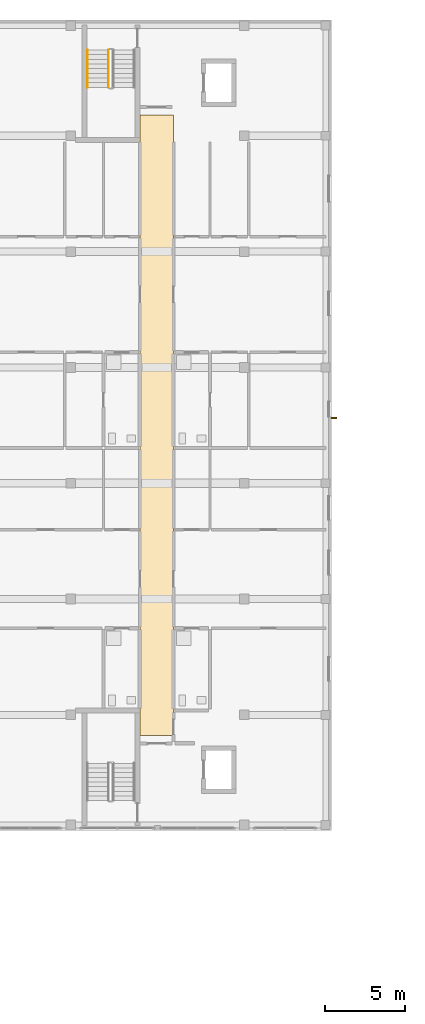
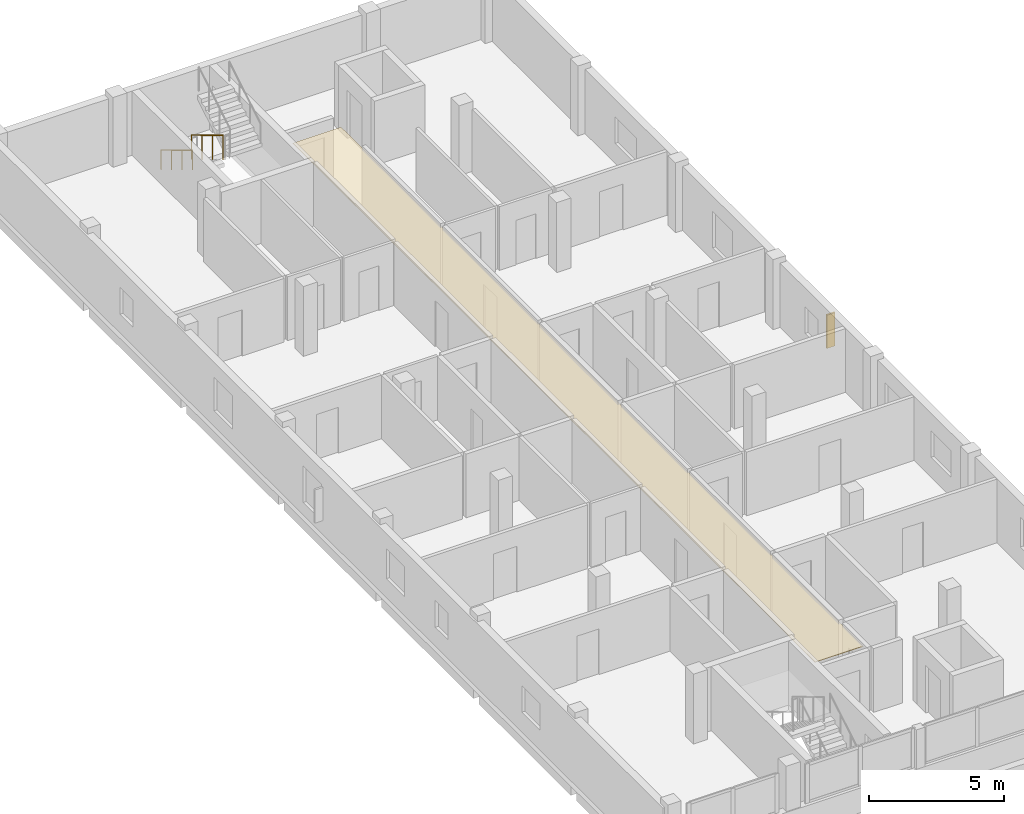
# One storey, part 26 of 34: 2 railings, 1 covering, 1 shading device.
"""IFC4 building model written with IfcOpenShell, lengths in metres."""

from ifc_helpers import new_model, si_unit, derived_unit, direction, frame, origin, origin_2d, place, context, subcontext, project, spatial, polyline, rectangle, circle, outline, extrude, material, layer, layer_set, type_object, element, save


model = new_model("IFC4")

# Units and contexts
model_context = context("Model", 3, precision=1e-05, world=origin(), true_north=direction((0.0, 1.0)))
body_context = subcontext(model_context, "Body", "Model", "MODEL_VIEW")
ifc_project = project(units=[si_unit("LENGTHUNIT", "METRE"), si_unit("AREAUNIT", "SQUARE_METRE"), si_unit("VOLUMEUNIT", "CUBIC_METRE"), si_unit("PLANEANGLEUNIT", "RADIAN"), si_unit("MASSUNIT", "GRAM", prefix="KILO"), derived_unit("THERMALTRANSMITTANCEUNIT", [(si_unit("MASSUNIT", "GRAM", prefix="KILO"), 1), (si_unit("TIMEUNIT", "SECOND"), -3), (si_unit("THERMODYNAMICTEMPERATUREUNIT", "KELVIN"), -1)])], contexts=[model_context])

# Site, building, storey
site_placement = place(None, origin())
site = spatial("IfcSite", under=ifc_project, at=site_placement, CompositionType="ELEMENT")
building_placement = place(site_placement, origin())
building = spatial("IfcBuilding", under=site, at=building_placement, Name="Ochrekiln Boulevard Commons", CompositionType="ELEMENT")
storey_placement = place(building_placement, frame((0.0, 0.0, 27.824951171875)))
storey = spatial("IfcBuildingStorey", under=building, at=storey_placement, Name="L08", CompositionType="ELEMENT", Elevation=27.824951171875)

# Covering
ifc_material_1 = material(Name="Mineral-fibre acoustic ceiling tile")
ifc_layer = layer(ifc_material_1, 0.02490234375)
ifc_layer_set = layer_set([ifc_layer], Name="Mineral-fibre acoustic ceiling tile")
covering_type = type_object("IfcCoveringType", Name="COV-CEIL-AC", PredefinedType="CEILING", material=ifc_layer_set)
covering_placement = place(storey_placement, frame((0.0, 0.0, 2.650146484375)))
element("IfcCovering", 1, at=covering_placement, inside=storey, type_object=covering_type, Name="L08 Acoustic Corridor Ceiling 59", PredefinedType="CEILING", context=body_context, shape_type="SweptSolid", body=[
    extrude(outline(polyline([(9.719970703125, 74.320068359375), (11.780029296875, 74.320068359375), (11.780029296875, 112.8798828125), (9.719970703125, 112.8798828125), (9.719970703125, 74.320068359375)])), origin(), (0.0, 0.0, 1.0), 0.02490234375),
])

# Railings
ifc_material_2 = material(Name="Brushed stainless steel 316 tubular railing", Category="steel")
railing_type_1 = type_object("IfcRailingType", Name="RLG-HDR-900", PredefinedType="HANDRAIL", material=ifc_material_2)
railing_1_placement = place(storey_placement, frame((6.449951171875, 116.929931640625, 0.175048828125)))
element("IfcRailing", 2, at=railing_1_placement, inside=storey, type_object=railing_type_1, Name="L08 ST-A2 stair handrail 1", PredefinedType="HANDRAIL", context=body_context, shape_type="SweptSolid", body=[
    extrude(circle(Radius=0.02392578125, at=origin_2d()), frame((0.0, 0.0, 0.8759765625), z_axis=(0.0, -0.856186286599, 0.516667245565), x_axis=(1.0, 0.0, 0.0)), (0.0, 0.0, 1.0), 2.70947265625),
    extrude(circle(Radius=0.02099609375, at=origin_2d()), origin(), (0.0, 0.0, 1.0), 0.851806640625),
    extrude(circle(Radius=0.02099609375, at=origin_2d()), frame((0.0, -0.773193359375, 0.466552734375)), (0.0, 0.0, 1.0), 0.851806640625),
    extrude(circle(Radius=0.02099609375, at=origin_2d()), frame((0.0, -1.546630859375, 0.933349609375)), (0.0, 0.0, 1.0), 0.851806640625),
    extrude(circle(Radius=0.02099609375, at=origin_2d()), frame((0.0, -2.31982421875, 1.39990234375)), (0.0, 0.0, 1.0), 0.851806640625),
])
railing_type_2 = type_object("IfcRailingType", Name="RLG-STR-1120", PredefinedType="BALUSTRADE", material=ifc_material_2)
railing_2_placement = place(storey_placement, frame((7.75, 116.929931640625, 0.175048828125)))
element("IfcRailing", 3, at=railing_2_placement, inside=storey, type_object=railing_type_2, Name="L08 ST-A2 stair guard 1", PredefinedType="BALUSTRADE", context=body_context, shape_type="SweptSolid", body=[
    extrude(circle(Radius=0.02392578125, at=origin_2d()), frame((0.0, 0.0, 1.09619140625), z_axis=(0.0, -0.856186286599, 0.516667245565), x_axis=(1.0, 0.0, 0.0)), (0.0, 0.0, 1.0), 2.70947265625),
    extrude(circle(Radius=0.02099609375, at=origin_2d()), origin(), (0.0, 0.0, 1.0), 1.072021484375),
    extrude(circle(Radius=0.02099609375, at=origin_2d()), frame((0.0, -0.773193359375, 0.466552734375)), (0.0, 0.0, 1.0), 1.072021484375),
    extrude(circle(Radius=0.02099609375, at=origin_2d()), frame((0.0, -1.546630859375, 0.933349609375)), (0.0, 0.0, 1.0), 1.072021484375),
    extrude(circle(Radius=0.02099609375, at=origin_2d()), frame((0.0, -2.31982421875, 1.39990234375)), (0.0, 0.0, 1.0), 1.072021484375),
])

# Shading device
ifc_material_3 = material(Name="Glazed architectural terracotta ASTM C1405", Category="masonry")
shading_device_type = type_object("IfcShadingDeviceType", Name="SHD-FIN-TERRA", PredefinedType="JALOUSIE", material=ifc_material_3)
shading_device_placement = place(storey_placement, frame((21.77001953125, 94.051025390625, 0.699951171875), z_axis=(0.0, 0.0, 1.0), x_axis=(1.0, 0.0, 0.0)))
element("IfcShadingDevice", 4, at=shading_device_placement, inside=storey, type_object=shading_device_type, Name="Terracotta Solar Shading Fin SF-01 (15)", PredefinedType="JALOUSIE", context=body_context, shape_type="SweptSolid", body=[
    extrude(rectangle(XDim=0.35009765625, YDim=0.080078125, at=origin_2d()), origin(), (0.0, 0.0, 1.0), 1.5),
])

save(model, "model.ifc")
